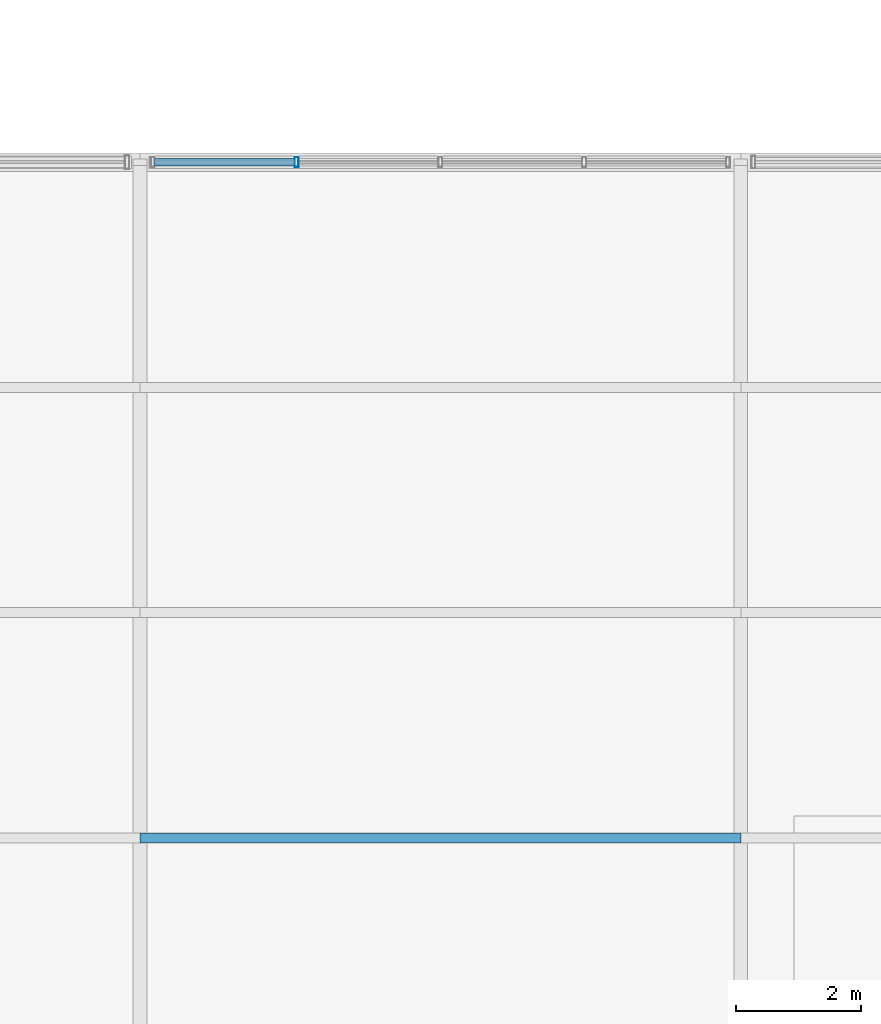
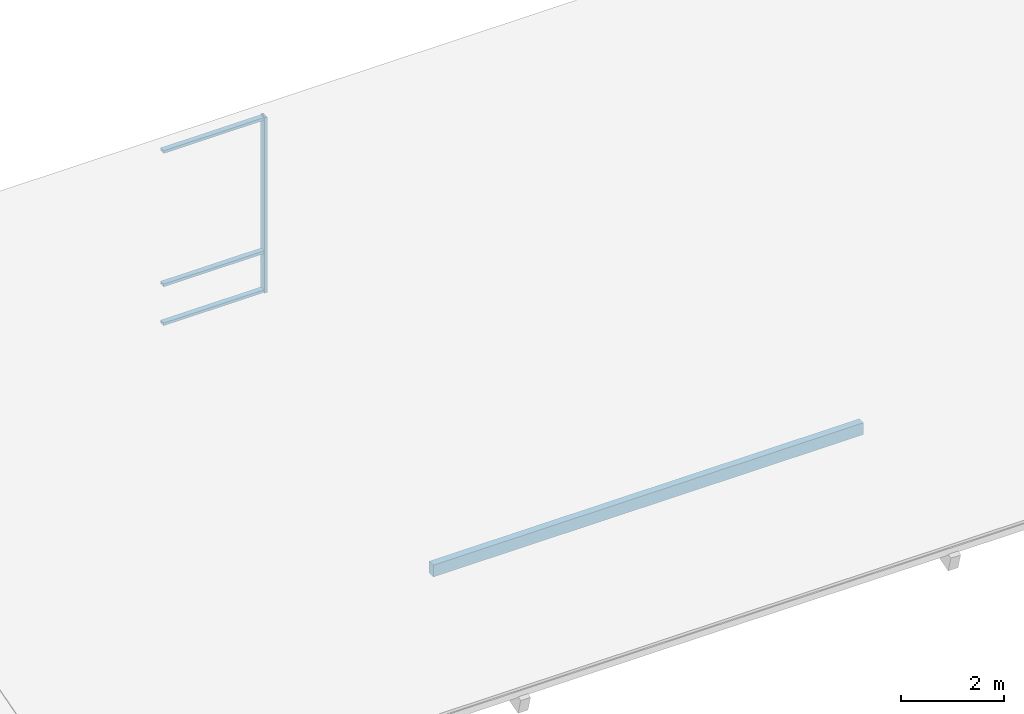
# One storey, part 17 of 32: 5 members, 1 element without a shape of its own.
"""IFC4 building model written with IfcOpenShell, lengths in metres."""

from ifc_helpers import new_model, si_unit, direction, frame, origin, origin_2d, place, context, subcontext, project, spatial, rectangle, hollow_rectangle, extrude, material, material_profile, profile_set, type_object, element, aggregate, save


model = new_model("IFC4")

# Units and contexts
model_context = context("Model", 3, precision=1e-05, world=origin(), true_north=direction((0.0, 1.0)))
body_context = subcontext(model_context, "Body", "Model", "MODEL_VIEW")
ifc_project = project(units=[si_unit("LENGTHUNIT", "METRE"), si_unit("AREAUNIT", "SQUARE_METRE"), si_unit("VOLUMEUNIT", "CUBIC_METRE"), si_unit("PLANEANGLEUNIT", "RADIAN"), si_unit("MASSUNIT", "GRAM", prefix="KILO")], contexts=[model_context])

# Site, building, storey
site_placement = place(None, origin())
site = spatial("IfcSite", under=ifc_project, at=site_placement, CompositionType="ELEMENT")
building_placement = place(site_placement, origin())
building = spatial("IfcBuilding", under=site, at=building_placement, Name="Hawrajan Terrace Health Centre", CompositionType="ELEMENT")
storey_placement = place(building_placement, frame((0.0, 0.0, 17.39990234375)))
storey = spatial("IfcBuildingStorey", under=building, at=storey_placement, Name="L04", CompositionType="ELEMENT", Elevation=17.39990234375)

# Curtain wall, members
ifc_material_1 = material(Name="Anodized bronze aluminium and low-E solar glazing", Category="aluminium")
curtain_wall_type = type_object("IfcCurtainWallType", Name="CW_Clerestory_SeriesG2", PredefinedType="USERDEFINED", material=ifc_material_1)
curtain_wall_placement = place(storey_placement, origin())
curtain_wall = element("IfcCurtainWall", 1, at=curtain_wall_placement, inside=storey, type_object=curtain_wall_type, Name="Curtain wall CW-L04-CLER-183", ObjectType="UNITISED CURTAIN WALL", PredefinedType="USERDEFINED")
ifc_material_2 = material(Name="Anodized bronze aluminium 6063-T6", Category="aluminium")
ifc_material_profile_1 = material_profile(ifc_material_2, hollow_rectangle(XDim=0.06494140625, YDim=0.159912109375, WallThickness=0.00390625, at=origin_2d()), Name="CW MUL 65x160")
ifc_profile_set_1 = profile_set([ifc_material_profile_1], Name="Anodized bronze aluminium 6063-T6")
member_type_1 = type_object("IfcMemberType", Name="CWMullion_65x160", PredefinedType="MULLION", material=ifc_profile_set_1)
member_1_placement = place(storey_placement, frame((83.901123046875, 18.60009765625, -0.204833984375), z_axis=(0.0, 0.0, 1.0), x_axis=(1.0, 0.0, 0.0)))
member_1 = element("IfcMember", 2, at=member_1_placement, type_object=member_type_1, Name="Mullion CW-L04-CLER-183-M2", PredefinedType="MULLION", context=body_context, shape_type="SweptSolid", body=[
    extrude(hollow_rectangle(XDim=0.06494140625, YDim=0.159912109375, WallThickness=0.00390625, at=origin_2d()), origin(), (0.0, 0.0, 1.0), 4.138916015625),
])
ifc_material_profile_2 = material_profile(ifc_material_2, hollow_rectangle(XDim=0.06494140625, YDim=0.1201171875, WallThickness=0.00341796875, at=origin_2d()), Name="CW TRN 65x120")
ifc_profile_set_2 = profile_set([ifc_material_profile_2], Name="Anodized bronze aluminium 6063-T6")
member_type_2 = type_object("IfcMemberType", Name="CWTransom_65x120", PredefinedType="USERDEFINED", material=ifc_profile_set_2)
member_2_placement = place(storey_placement, frame((81.62890625, 18.60009765625, -0.16748046875), z_axis=(1.0, 0.0, 0.0), x_axis=(0.0, 0.0, 1.0)))
member_2 = element("IfcMember", 3, at=member_2_placement, type_object=member_type_2, Name="Transom CW-L04-CLER-183-T1-1", ObjectType="TRANSOM", PredefinedType="USERDEFINED", context=body_context, shape_type="SweptSolid", body=[
    extrude(hollow_rectangle(XDim=0.06494140625, YDim=0.1201171875, WallThickness=0.00341796875, at=origin_2d()), origin(), (0.0, 0.0, 1.0), 2.245849609375),
])
member_3_placement = place(storey_placement, frame((81.62890625, 18.60009765625, 0.75), z_axis=(1.0, 0.0, 0.0), x_axis=(0.0, 0.0, 1.0)))
member_3 = element("IfcMember", 4, at=member_3_placement, type_object=member_type_2, Name="Transom CW-L04-CLER-183-T1-2", ObjectType="TRANSOM", PredefinedType="USERDEFINED", context=body_context, shape_type="SweptSolid", body=[
    extrude(hollow_rectangle(XDim=0.06494140625, YDim=0.1201171875, WallThickness=0.00341796875, at=origin_2d()), origin(), (0.0, 0.0, 1.0), 2.245849609375),
])
member_4_placement = place(storey_placement, frame((81.62890625, 18.60009765625, 3.896728515625), z_axis=(1.0, 0.0, 0.0), x_axis=(0.0, 0.0, 1.0)))
member_4 = element("IfcMember", 5, at=member_4_placement, type_object=member_type_2, Name="Transom CW-L04-CLER-183-T1-3", ObjectType="TRANSOM", PredefinedType="USERDEFINED", context=body_context, shape_type="SweptSolid", body=[
    extrude(hollow_rectangle(XDim=0.06494140625, YDim=0.1201171875, WallThickness=0.00341796875, at=origin_2d()), origin(), (0.0, 0.0, 1.0), 2.245849609375),
])
aggregate(curtain_wall, [member_1, member_2, member_3, member_4])

# Member
ifc_material_3 = material(Name="Glulam GL28h", Category="wood")
ifc_material_profile_3 = material_profile(ifc_material_3, rectangle(XDim=0.159912109375, YDim=0.280029296875, at=origin_2d()), Name="GL PUR 160x280")
ifc_profile_set_3 = profile_set([ifc_material_profile_3], Name="Glulam GL28h")
member_type_3 = type_object("IfcMemberType", Name="RoofPurlin_160x280", PredefinedType="PURLIN", material=ifc_profile_set_3)
member_5_placement = place(storey_placement, frame((81.39990234375, 7.800048828125, 0.65234375), z_axis=(1.0, 0.0, 0.0), x_axis=(0.0, 1.0, 0.0)))
element("IfcMember", 6, at=member_5_placement, inside=storey, type_object=member_type_3, Name="North-light purlin C-2-1", PredefinedType="PURLIN", context=body_context, shape_type="SweptSolid", body=[
    extrude(rectangle(XDim=0.159912109375, YDim=0.280029296875, at=origin_2d()), origin(), (0.0, 0.0, 1.0), 9.60009765625),
])

save(model, "model.ifc")
